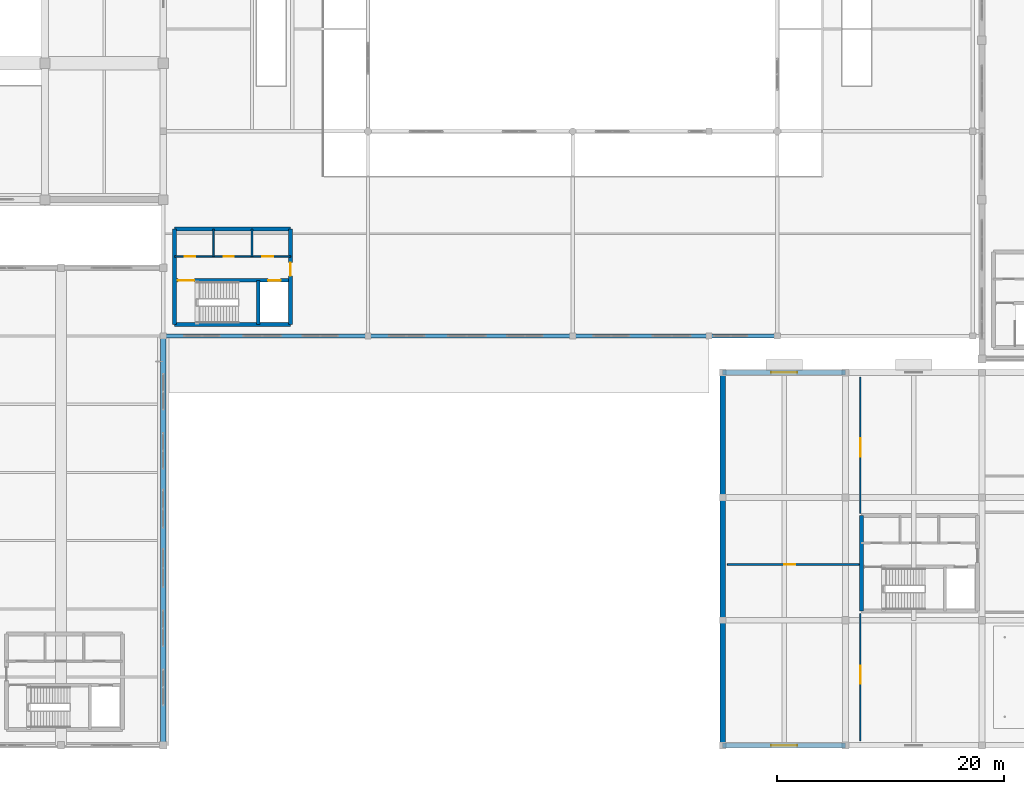
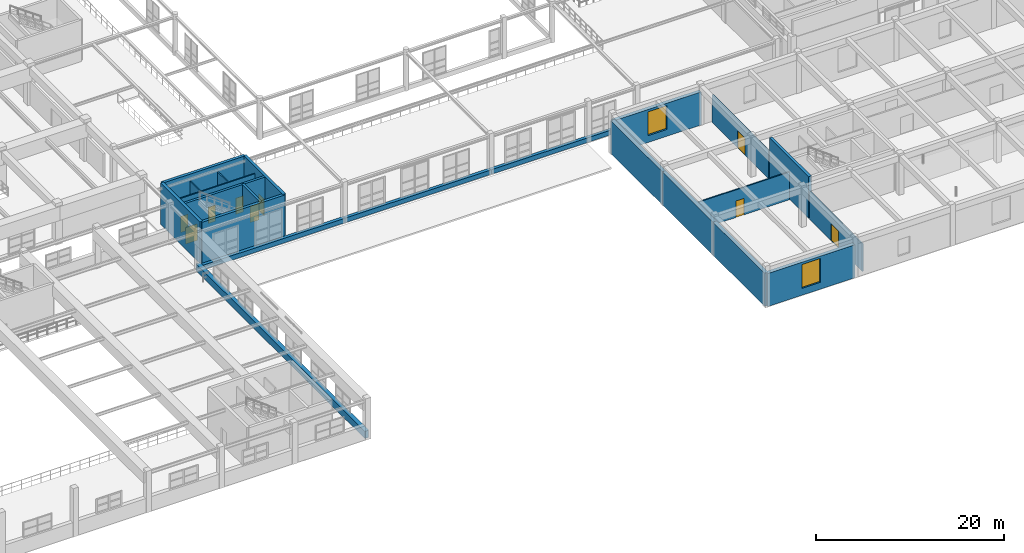
# One storey, part 171 of 197: 22 walls, 9 doors, 2 windows, 11 openings.
"""IFC4 building model written with IfcOpenShell, lengths in metres."""

from ifc_helpers import new_model, si_unit, derived_unit, direction, frame, frame_2d, origin, place, context, subcontext, project, spatial, rectangle, extrude, material, layer, layer_set, type_object, element, fill, save


model = new_model("IFC4")

# Units and contexts
model_context = context("Model", 3, precision=1e-05, world=origin(), true_north=direction((0.0, 1.0)))
body_context = subcontext(model_context, "Body", "Model", "MODEL_VIEW")
ifc_project = project(units=[si_unit("LENGTHUNIT", "METRE"), si_unit("AREAUNIT", "SQUARE_METRE"), si_unit("VOLUMEUNIT", "CUBIC_METRE"), si_unit("PLANEANGLEUNIT", "RADIAN"), si_unit("MASSUNIT", "GRAM", prefix="KILO"), derived_unit("THERMALTRANSMITTANCEUNIT", [(si_unit("POWERUNIT", "WATT"), 1), (si_unit("LENGTHUNIT", "METRE"), -2), (si_unit("THERMODYNAMICTEMPERATUREUNIT", "KELVIN"), -1)])], contexts=[model_context])

# Site, building, storey
site_placement = place(None, origin())
site = spatial("IfcSite", under=ifc_project, at=site_placement, CompositionType="ELEMENT")
building_placement = place(site_placement, origin())
building = spatial("IfcBuilding", under=site, at=building_placement, Name="Almenara Railside Exhibition Hall", CompositionType="ELEMENT")
storey_placement = place(building_placement, frame((0.0, 0.0, 5.39990234375)))
storey = spatial("IfcBuildingStorey", under=building, at=storey_placement, Name="L01", CompositionType="ELEMENT", Elevation=5.39990234375)

# Wall, opening, door
ifc_material_1 = material(Name="Double-stud acoustic gypsum partition")
ifc_layer_1 = layer(ifc_material_1, 0.159912109375, Name="Double-stud acoustic gypsum partition")
ifc_layer_set_1 = layer_set([ifc_layer_1], Name="Double-stud acoustic gypsum partition")
wall_type_1 = type_object("IfcWallType", Name="Acoustic Congress Partition 160mm", PredefinedType="PARTITIONING", material=ifc_layer_set_1)
wall_1_placement = place(storey_placement, frame((127.300048828125, 0.39990234375, 0.0), z_axis=(0.0, 0.0, 1.0), x_axis=(0.0, 1.0, 0.0)))
wall_1 = element("IfcWall", 1, at=wall_1_placement, inside=storey, type_object=wall_type_1, Name="Interior wall 0380", PredefinedType="PARTITIONING", context=body_context, shape_type="SweptSolid", body=[
    extrude(rectangle(XDim=11.2001953125, YDim=0.159912109375, at=frame_2d((5.60009765625, 0.0))), origin(), (0.0, 0.0, 1.0), 3.60009765625),
])
opening_1_placement = place(wall_1_placement, frame((5.0, 0.0, 0.0)))
opening_1 = element("IfcOpeningElement", 2, at=opening_1_placement, cuts=wall_1, Name="Opening ID-16", PredefinedType="OPENING", context=body_context, shape_type="SweptSolid", body=[
    extrude(rectangle(XDim=1.60009765625, YDim=2.199951171875, at=frame_2d((0.800048828125, 1.10009765625))), frame((0.0, 0.08984375, 0.0), z_axis=(0.0, -1.0, 0.0), x_axis=(1.0, 0.0, 0.0)), (0.0, 0.0, 1.0), 0.179931640625),
])
ifc_material_2 = material(Name="Iroko hardwood double door", Category="wood")
door_type_1 = type_object("IfcDoorType", Name="Meeting Suite Double Door 1600x2200", OperationType="NOTDEFINED", PredefinedType="DOOR", material=ifc_material_2)
door_1_placement = place(opening_1_placement, origin())
door_1 = element("IfcDoor", 3, at=door_1_placement, inside=storey, type_object=door_type_1, Name="Interior door ID-16-249", OperationType="DOUBLE_DOOR_SINGLE_SWING", OverallHeight=2.199951171875, OverallWidth=1.60009765625, PredefinedType="DOOR", context=body_context, shape_type="SweptSolid", body=[
    extrude(rectangle(XDim=1.60009765625, YDim=2.199951171875, at=frame_2d((0.800048828125, 1.10009765625))), frame((0.0, 0.02490234375, 0.0), z_axis=(0.0, -1.0, 0.0), x_axis=(1.0, 0.0, 0.0)), (0.0, 0.0, 1.0), 0.050048828125),
])
fill(opening_1, door_1)

wall_2_placement = place(storey_placement, frame((127.300048828125, 20.39990234375, 0.0), z_axis=(0.0, 0.0, 1.0), x_axis=(0.0, 1.0, 0.0)))
wall_2 = element("IfcWall", 4, at=wall_2_placement, inside=storey, type_object=wall_type_1, Name="Interior wall 0381", PredefinedType="PARTITIONING", context=body_context, shape_type="SweptSolid", body=[
    extrude(rectangle(XDim=12.0, YDim=0.159912109375, at=frame_2d((6.0, 0.0))), origin(), (0.0, 0.0, 1.0), 3.60009765625),
])
opening_2_placement = place(wall_2_placement, frame((5.0, 0.0, 0.0)))
opening_2 = element("IfcOpeningElement", 5, at=opening_2_placement, cuts=wall_2, Name="Opening ID-16", PredefinedType="OPENING", context=body_context, shape_type="SweptSolid", body=[
    extrude(rectangle(XDim=1.60009765625, YDim=2.199951171875, at=frame_2d((0.800048828125, 1.10009765625))), frame((0.0, 0.08984375, 0.0), z_axis=(0.0, -1.0, 0.0), x_axis=(1.0, 0.0, 0.0)), (0.0, 0.0, 1.0), 0.179931640625),
])
door_2_placement = place(opening_2_placement, origin())
door_2 = element("IfcDoor", 6, at=door_2_placement, inside=storey, type_object=door_type_1, Name="Interior door ID-16-250", OperationType="DOUBLE_DOOR_SINGLE_SWING", OverallHeight=2.199951171875, OverallWidth=1.60009765625, PredefinedType="DOOR", context=body_context, shape_type="SweptSolid", body=[
    extrude(rectangle(XDim=1.60009765625, YDim=2.199951171875, at=frame_2d((0.800048828125, 1.10009765625))), frame((0.0, 0.02490234375, 0.0), z_axis=(0.0, -1.0, 0.0), x_axis=(1.0, 0.0, 0.0)), (0.0, 0.0, 1.0), 0.050048828125),
])
fill(opening_2, door_2)

wall_3_placement = place(storey_placement, frame((115.60009765625, 15.89990234375, 0.0), z_axis=(0.0, 0.0, 1.0), x_axis=(1.0, 0.0, 0.0)))
wall_3 = element("IfcWall", 7, at=wall_3_placement, inside=storey, type_object=wall_type_1, Name="Interior wall 0382", PredefinedType="PARTITIONING", context=body_context, shape_type="SweptSolid", body=[
    extrude(rectangle(XDim=11.599853515625, YDim=0.159912109375, at=frame_2d((5.7998046875, 0.0))), origin(), (0.0, 0.0, 1.0), 3.60009765625),
])
opening_3_placement = place(wall_3_placement, frame((5.0, 0.0, 0.0)))
opening_3 = element("IfcOpeningElement", 8, at=opening_3_placement, cuts=wall_3, Name="Opening ID-10", PredefinedType="OPENING", context=body_context, shape_type="SweptSolid", body=[
    extrude(rectangle(XDim=1.0, YDim=2.14990234375, at=frame_2d((0.5, 1.074951171875))), frame((0.0, 0.08984375, 0.0), z_axis=(0.0, -1.0, 0.0), x_axis=(1.0, 0.0, 0.0)), (0.0, 0.0, 1.0), 0.179931640625),
])
ifc_material_3 = material(Name="Iroko hardwood single door", Category="wood")
door_type_2 = type_object("IfcDoorType", Name="Standard Room Single Door 1000x2150", OperationType="NOTDEFINED", PredefinedType="DOOR", material=ifc_material_3)
door_3_placement = place(opening_3_placement, origin())
door_3 = element("IfcDoor", 9, at=door_3_placement, inside=storey, type_object=door_type_2, Name="Interior door ID-10-251", OperationType="SINGLE_SWING_LEFT", OverallHeight=2.14990234375, OverallWidth=1.0, PredefinedType="DOOR", context=body_context, shape_type="SweptSolid", body=[
    extrude(rectangle(XDim=1.0, YDim=2.14990234375, at=frame_2d((0.5, 1.074951171875))), frame((0.0, 0.02490234375, 0.0), z_axis=(0.0, -1.0, 0.0), x_axis=(1.0, 0.0, 0.0)), (0.0, 0.0, 1.0), 0.050048828125),
])
fill(opening_3, door_3)

# Walls
ifc_material_4 = material(Name="Concrete C35/45", Category="concrete")
ifc_layer_2 = layer(ifc_material_4, 0.35009765625, Name="Concrete C35/45")
ifc_layer_set_2 = layer_set([ifc_layer_2], Name="Concrete C35/45")
wall_type_2 = type_object("IfcWallType", Name="Core Coupled Shear Wall 350mm C35/45", PredefinedType="SHEAR", material=ifc_layer_set_2)
for number, where, z_axis, x_axis, name in (
    (10, (67.0, 37.0, 0.0), (0.0, 0.0, 1.0), (1.0, 0.0, 0.0), "Interior wall 0082"),
    (11, (77.199951171875, 45.39990234375, 0.0), (0.0, 0.0, 1.0), (-1.0, 0.0, 0.0), "Interior wall 0083"),
):
    element("IfcWall", number, at=place(storey_placement, frame(where, z_axis=z_axis, x_axis=x_axis)), inside=storey, type_object=wall_type_2, Name=name, PredefinedType="SHEAR", context=body_context, shape_type="SweptSolid", body=[
        extrude(rectangle(XDim=10.199951171875, YDim=0.35009765625, at=frame_2d((5.10009765625, 0.0))), origin(), (0.0, 0.0, 1.0), 5.400146484375),
    ])
wall_4_placement = place(storey_placement, frame((67.0, 45.39990234375, 0.0), z_axis=(0.0, 0.0, 1.0), x_axis=(0.0, -1.0, 0.0)))
element("IfcWall", 12, at=wall_4_placement, inside=storey, type_object=wall_type_2, Name="Interior wall 0084", PredefinedType="SHEAR", context=body_context, shape_type="SweptSolid", body=[
    extrude(rectangle(XDim=8.39990234375, YDim=0.35009765625, at=frame_2d((4.199951171875, 0.0))), origin(), (0.0, 0.0, 1.0), 5.400146484375),
])

# Wall, opening, door
wall_5_placement = place(storey_placement, frame((77.199951171875, 37.0, 0.0), z_axis=(0.0, 0.0, 1.0), x_axis=(0.0, 1.0, 0.0)))
wall_5 = element("IfcWall", 13, at=wall_5_placement, inside=storey, type_object=wall_type_2, Name="Interior wall 0085", PredefinedType="SHEAR", context=body_context, shape_type="SweptSolid", body=[
    extrude(rectangle(XDim=8.39990234375, YDim=0.35009765625, at=frame_2d((4.199951171875, 0.0))), origin(), (0.0, 0.0, 1.0), 5.400146484375),
])
opening_4_placement = place(wall_5_placement, frame((4.300048828125, 0.0, 0.0)))
opening_4 = element("IfcOpeningElement", 14, at=opening_4_placement, cuts=wall_5, Name="Opening FD-115", PredefinedType="OPENING", context=body_context, shape_type="SweptSolid", body=[
    extrude(rectangle(XDim=1.14990234375, YDim=2.14990234375, at=frame_2d((0.574951171875, 1.074951171875))), frame((0.0, 0.18505859375, 0.0), z_axis=(0.0, -1.0, 0.0), x_axis=(1.0, 0.0, 0.0)), (0.0, 0.0, 1.0), 0.3701171875),
])
ifc_material_5 = material(Name="Fire-rated iroko timber door", Category="wood")
door_type_3 = type_object("IfcDoorType", Name="Core Lobby Fire Door 1150x2150 EI60", OperationType="NOTDEFINED", PredefinedType="DOOR", material=ifc_material_5)
door_4_placement = place(opening_4_placement, origin())
door_4 = element("IfcDoor", 15, at=door_4_placement, inside=storey, type_object=door_type_3, Name="Interior door FD-115-055", OperationType="SINGLE_SWING_LEFT", OverallHeight=2.14990234375, OverallWidth=1.14990234375, PredefinedType="DOOR", context=body_context, shape_type="SweptSolid", body=[
    extrude(rectangle(XDim=1.14990234375, YDim=2.14990234375, at=frame_2d((0.574951171875, 1.074951171875))), frame((0.0, 0.02490234375, 0.0), z_axis=(0.0, -1.0, 0.0), x_axis=(1.0, 0.0, 0.0)), (0.0, 0.0, 1.0), 0.050048828125),
])
fill(opening_4, door_4)

# Walls
wall_6_placement = place(storey_placement, frame((127.39990234375, 20.199951171875, 0.0), z_axis=(0.0, 0.0, 1.0), x_axis=(0.0, -1.0, 0.0)))
element("IfcWall", 16, at=wall_6_placement, inside=storey, type_object=wall_type_2, Name="Interior wall 0120", PredefinedType="SHEAR", context=body_context, shape_type="SweptSolid", body=[
    extrude(rectangle(XDim=8.39990234375, YDim=0.35009765625, at=frame_2d((4.199951171875, 0.0))), origin(), (0.0, 0.0, 1.0), 5.400146484375),
])
ifc_material_6 = material(Name="Ochre-white lime-rendered masonry over Concrete C35/45", Category="masonry")
ifc_layer_3 = layer(ifc_material_6, 0.385009765625, Name="Ochre-white lime-rendered masonry over Concrete C35/45")
ifc_layer_set_3 = layer_set([ifc_layer_3], Name="Ochre-white lime-rendered masonry over Concrete C35/45")
wall_type_3 = type_object("IfcWallType", Name="Exterior Arcade Spandrel Wall 385mm C35/45", PredefinedType="SOLIDWALL", material=ifc_layer_set_3)
for number, where, z_axis, x_axis, name in (
    (17, (66.0, 36.0, 0.0), (0.0, 0.0, 1.0), (1.0, 0.0, 0.0), "Exterior wall 0141"),
    (18, (84.0, 36.0, 0.0), (0.0, 0.0, 1.0), (1.0, 0.0, 0.0), "Exterior wall 0147"),
    (19, (102.0, 36.0, 0.0), (0.0, 0.0, 1.0), (1.0, 0.0, 0.0), "Exterior wall 0153"),
):
    element("IfcWall", number, at=place(storey_placement, frame(where, z_axis=z_axis, x_axis=x_axis)), inside=storey, type_object=wall_type_3, Name=name, PredefinedType="SOLIDWALL", context=body_context, shape_type="SweptSolid", body=[
        extrude(rectangle(XDim=18.0, YDim=0.385009765625, at=frame_2d((9.0, 0.0))), origin(), (0.0, 0.0, 1.0), 0.60009765625),
    ])

# Wall, opening, window
ifc_layer_4 = layer(ifc_material_6, 0.449951171875, Name="Ochre-white lime-rendered masonry over Concrete C35/45")
ifc_layer_set_4 = layer_set([ifc_layer_4], Name="Ochre-white lime-rendered masonry over Concrete C35/45")
wall_type_4 = type_object("IfcWallType", Name="Exterior Civic Stucco Wall 450mm C35/45", PredefinedType="SOLIDWALL", material=ifc_layer_set_4)
wall_7_placement = place(storey_placement, frame((115.199951171875, 0.0, 0.0), z_axis=(0.0, 0.0, 1.0), x_axis=(1.0, 0.0, 0.0)))
wall_7 = element("IfcWall", 20, at=wall_7_placement, inside=storey, type_object=wall_type_4, Name="Exterior wall 0208", PredefinedType="SOLIDWALL", context=body_context, shape_type="SweptSolid", body=[
    extrude(rectangle(XDim=10.800048828125, YDim=0.449951171875, at=frame_2d((5.39990234375, 0.0))), origin(), (0.0, 0.0, 1.0), 4.300048828125),
])
opening_5_placement = place(wall_7_placement, frame((4.25, 0.0, 0.89990234375)))
opening_5 = element("IfcOpeningElement", 21, at=opening_5_placement, cuts=wall_7, Name="Opening W-02", PredefinedType="OPENING", context=body_context, shape_type="SweptSolid", body=[
    extrude(rectangle(XDim=2.300048828125, YDim=3.10009765625, at=frame_2d((1.14990234375, 1.550048828125))), frame((0.0, 0.23486328125, 0.0), z_axis=(0.0, -1.0, 0.0), x_axis=(1.0, 0.0, 0.0)), (0.0, 0.0, 1.0), 0.469970703125),
])
ifc_material_7 = material(Name="Bronze-anodised aluminium and low-E double glazing", Category="aluminium")
window_type = type_object("IfcWindowType", Name="Arched Congress Tall Window 2300x3100", PartitioningType="DOUBLE_PANEL_VERTICAL", PredefinedType="WINDOW", material=ifc_material_7)
window_1_placement = place(opening_5_placement, origin())
window_1 = element("IfcWindow", 22, at=window_1_placement, inside=storey, type_object=window_type, Name="Window 0063", OverallHeight=3.10009765625, OverallWidth=2.300048828125, PartitioningType="DOUBLE_PANEL_VERTICAL", PredefinedType="WINDOW", context=body_context, shape_type="SweptSolid", body=[
    extrude(rectangle(XDim=2.300048828125, YDim=3.10009765625, at=frame_2d((1.14990234375, 1.550048828125))), frame((0.0, 0.030029296875, 0.0), z_axis=(0.0, -1.0, 0.0), x_axis=(1.0, 0.0, 0.0)), (0.0, 0.0, 1.0), 0.06005859375),
])
fill(opening_5, window_1)

wall_8_placement = place(storey_placement, frame((126.0, 32.800048828125, 0.0), z_axis=(0.0, 0.0, 1.0), x_axis=(-1.0, 0.0, 0.0)))
wall_8 = element("IfcWall", 23, at=wall_8_placement, inside=storey, type_object=wall_type_4, Name="Exterior wall 0209", PredefinedType="SOLIDWALL", context=body_context, shape_type="SweptSolid", body=[
    extrude(rectangle(XDim=10.800048828125, YDim=0.449951171875, at=frame_2d((5.39990234375, 0.0))), origin(), (0.0, 0.0, 1.0), 4.300048828125),
])
opening_6_placement = place(wall_8_placement, frame((4.25, 0.0, 0.89990234375)))
opening_6 = element("IfcOpeningElement", 24, at=opening_6_placement, cuts=wall_8, Name="Opening W-02", PredefinedType="OPENING", context=body_context, shape_type="SweptSolid", body=[
    extrude(rectangle(XDim=2.300048828125, YDim=3.10009765625, at=frame_2d((1.14990234375, 1.550048828125))), frame((0.0, 0.23486328125, 0.0), z_axis=(0.0, -1.0, 0.0), x_axis=(1.0, 0.0, 0.0)), (0.0, 0.0, 1.0), 0.469970703125),
])
window_2_placement = place(opening_6_placement, origin())
window_2 = element("IfcWindow", 25, at=window_2_placement, inside=storey, type_object=window_type, Name="Window 0064", OverallHeight=3.10009765625, OverallWidth=2.300048828125, PartitioningType="DOUBLE_PANEL_VERTICAL", PredefinedType="WINDOW", context=body_context, shape_type="SweptSolid", body=[
    extrude(rectangle(XDim=2.300048828125, YDim=3.10009765625, at=frame_2d((1.14990234375, 1.550048828125))), frame((0.0, 0.030029296875, 0.0), z_axis=(0.0, -1.0, 0.0), x_axis=(1.0, 0.0, 0.0)), (0.0, 0.0, 1.0), 0.06005859375),
])
fill(opening_6, window_2)

# Walls
wall_9_placement = place(storey_placement, frame((115.199951171875, 11.0, 0.0), z_axis=(0.0, 0.0, 1.0), x_axis=(0.0, -1.0, 0.0)))
element("IfcWall", 26, at=wall_9_placement, inside=storey, type_object=wall_type_4, Name="Exterior wall 0225", PredefinedType="SOLIDWALL", context=body_context, shape_type="SweptSolid", body=[
    extrude(rectangle(XDim=11.0, YDim=0.449951171875, at=frame_2d((5.5, 0.0))), origin(), (0.0, 0.0, 1.0), 4.300048828125),
])
wall_10_placement = place(storey_placement, frame((115.199951171875, 21.800048828125, 0.0), z_axis=(0.0, 0.0, 1.0), x_axis=(0.0, -1.0, 0.0)))
element("IfcWall", 27, at=wall_10_placement, inside=storey, type_object=wall_type_4, Name="Exterior wall 0227", PredefinedType="SOLIDWALL", context=body_context, shape_type="SweptSolid", body=[
    extrude(rectangle(XDim=10.800048828125, YDim=0.449951171875, at=frame_2d((5.39990234375, 0.0))), origin(), (0.0, 0.0, 1.0), 4.300048828125),
])
wall_11_placement = place(storey_placement, frame((115.199951171875, 32.800048828125, 0.0), z_axis=(0.0, 0.0, 1.0), x_axis=(0.0, -1.0, 0.0)))
element("IfcWall", 28, at=wall_11_placement, inside=storey, type_object=wall_type_4, Name="Exterior wall 0229", PredefinedType="SOLIDWALL", context=body_context, shape_type="SweptSolid", body=[
    extrude(rectangle(XDim=11.0, YDim=0.449951171875, at=frame_2d((5.5, 0.0))), origin(), (0.0, 0.0, 1.0), 4.300048828125),
])
ifc_layer_5 = layer(ifc_material_6, 0.47998046875, Name="Ochre-white lime-rendered masonry over Concrete C35/45")
ifc_layer_set_5 = layer_set([ifc_layer_5], Name="Ochre-white lime-rendered masonry over Concrete C35/45")
wall_type_5 = type_object("IfcWallType", Name="Exterior Plenary Thermal Wall 480mm C35/45", PredefinedType="SOLIDWALL", material=ifc_layer_set_5)
wall_12_placement = place(storey_placement, frame((66.0, 0.0, 0.0), z_axis=(0.0, 0.0, 1.0), x_axis=(0.0, 1.0, 0.0)))
element("IfcWall", 29, at=wall_12_placement, inside=storey, type_object=wall_type_5, Name="Exterior wall 0139", PredefinedType="SOLIDWALL", context=body_context, shape_type="SweptSolid", body=[
    extrude(rectangle(XDim=36.0, YDim=0.47998046875, at=frame_2d((18.0, 0.0))), origin(), (0.0, 0.0, 1.0), 0.9501953125),
])

# Wall, openings, doors
ifc_material_8 = material(Name="Moisture-resistant tiled masonry partition", Category="masonry")
ifc_layer_6 = layer(ifc_material_8, 0.139892578125, Name="Moisture-resistant tiled masonry partition")
ifc_layer_set_6 = layer_set([ifc_layer_6], Name="Moisture-resistant tiled masonry partition")
wall_type_6 = type_object("IfcWallType", Name="Sanitary Wet-Wall Partition 140mm", PredefinedType="PARTITIONING", material=ifc_layer_set_6)
wall_13_placement = place(storey_placement, frame((67.0, 43.0, 0.0), z_axis=(0.0, 0.0, 1.0), x_axis=(1.0, 0.0, 0.0)))
wall_13 = element("IfcWall", 30, at=wall_13_placement, inside=storey, type_object=wall_type_6, Name="Interior wall 0088", PredefinedType="PARTITIONING", context=body_context, shape_type="SweptSolid", body=[
    extrude(rectangle(XDim=10.199951171875, YDim=0.139892578125, at=frame_2d((5.10009765625, 0.0))), origin(), (0.0, 0.0, 1.0), 4.5),
])
opening_7_placement = place(wall_13_placement, frame((0.89990234375, 0.0, 0.0)))
opening_7 = element("IfcOpeningElement", 31, at=opening_7_placement, cuts=wall_13, Name="Opening ID-09", PredefinedType="OPENING", context=body_context, shape_type="SweptSolid", body=[
    extrude(rectangle(XDim=0.89990234375, YDim=2.10009765625, at=frame_2d((0.449951171875, 1.050048828125))), frame((0.0, 0.079833984375, 0.0), z_axis=(0.0, -1.0, 0.0), x_axis=(1.0, 0.0, 0.0)), (0.0, 0.0, 1.0), 0.159912109375),
])
opening_8_placement = place(wall_13_placement, frame((4.300048828125, 0.0, 0.0)))
opening_8 = element("IfcOpeningElement", 32, at=opening_8_placement, cuts=wall_13, Name="Opening ID-09", PredefinedType="OPENING", context=body_context, shape_type="SweptSolid", body=[
    extrude(rectangle(XDim=0.89990234375, YDim=2.10009765625, at=frame_2d((0.449951171875, 1.050048828125))), frame((0.0, 0.079833984375, 0.0), z_axis=(0.0, -1.0, 0.0), x_axis=(1.0, 0.0, 0.0)), (0.0, 0.0, 1.0), 0.159912109375),
])
opening_9_placement = place(wall_13_placement, frame((7.699951171875, 0.0, 0.0)))
opening_9 = element("IfcOpeningElement", 33, at=opening_9_placement, cuts=wall_13, Name="Opening ID-095", PredefinedType="OPENING", context=body_context, shape_type="SweptSolid", body=[
    extrude(rectangle(XDim=0.949951171875, YDim=2.10009765625, at=frame_2d((0.47509765625, 1.050048828125))), frame((0.0, 0.079833984375, 0.0), z_axis=(0.0, -1.0, 0.0), x_axis=(1.0, 0.0, 0.0)), (0.0, 0.0, 1.0), 0.159912109375),
])
ifc_material_9 = material(Name="Moisture-resistant hardwood door", Category="wood")
door_type_4 = type_object("IfcDoorType", Name="Accessible Toilet Door 950x2100", OperationType="NOTDEFINED", PredefinedType="DOOR", material=ifc_material_9)
door_5_placement = place(opening_9_placement, origin())
door_5 = element("IfcDoor", 34, at=door_5_placement, inside=storey, type_object=door_type_4, Name="Interior door ID-095-060", OperationType="SINGLE_SWING_RIGHT", OverallHeight=2.10009765625, OverallWidth=0.949951171875, PredefinedType="DOOR", context=body_context, shape_type="SweptSolid", body=[
    extrude(rectangle(XDim=0.949951171875, YDim=2.10009765625, at=frame_2d((0.47509765625, 1.050048828125))), frame((0.0, 0.02490234375, 0.0), z_axis=(0.0, -1.0, 0.0), x_axis=(1.0, 0.0, 0.0)), (0.0, 0.0, 1.0), 0.050048828125),
])
fill(opening_9, door_5)
door_type_5 = type_object("IfcDoorType", Name="Sanitary Lobby Single Door 900x2100", OperationType="NOTDEFINED", PredefinedType="DOOR", material=ifc_material_9)
door_6_placement = place(opening_7_placement, origin())
door_6 = element("IfcDoor", 35, at=door_6_placement, inside=storey, type_object=door_type_5, Name="Interior door ID-09-058", OperationType="SINGLE_SWING_RIGHT", OverallHeight=2.10009765625, OverallWidth=0.89990234375, PredefinedType="DOOR", context=body_context, shape_type="SweptSolid", body=[
    extrude(rectangle(XDim=0.89990234375, YDim=2.10009765625, at=frame_2d((0.449951171875, 1.050048828125))), frame((0.0, 0.02490234375, 0.0), z_axis=(0.0, -1.0, 0.0), x_axis=(1.0, 0.0, 0.0)), (0.0, 0.0, 1.0), 0.050048828125),
])
fill(opening_7, door_6)
door_7_placement = place(opening_8_placement, origin())
door_7 = element("IfcDoor", 36, at=door_7_placement, inside=storey, type_object=door_type_5, Name="Interior door ID-09-059", OperationType="SINGLE_SWING_LEFT", OverallHeight=2.10009765625, OverallWidth=0.89990234375, PredefinedType="DOOR", context=body_context, shape_type="SweptSolid", body=[
    extrude(rectangle(XDim=0.89990234375, YDim=2.10009765625, at=frame_2d((0.449951171875, 1.050048828125))), frame((0.0, 0.02490234375, 0.0), z_axis=(0.0, -1.0, 0.0), x_axis=(1.0, 0.0, 0.0)), (0.0, 0.0, 1.0), 0.050048828125),
])
fill(opening_8, door_7)

# Walls
for number, where, z_axis, x_axis, name in (
    (37, (70.39990234375, 43.0, 0.0), (0.0, 0.0, 1.0), (0.0, 1.0, 0.0), "Interior wall 0089"),
    (38, (73.800048828125, 43.0, 0.0), (0.0, 0.0, 1.0), (0.0, 1.0, 0.0), "Interior wall 0090"),
):
    element("IfcWall", number, at=place(storey_placement, frame(where, z_axis=z_axis, x_axis=x_axis)), inside=storey, type_object=wall_type_6, Name=name, PredefinedType="PARTITIONING", context=body_context, shape_type="SweptSolid", body=[
        extrude(rectangle(XDim=2.39990234375, YDim=0.139892578125, at=frame_2d((1.199951171875, 0.0))), origin(), (0.0, 0.0, 1.0), 4.5),
    ])

# Wall, openings, doors
ifc_layer_7 = layer(ifc_material_4, 0.300048828125, Name="Concrete C35/45")
ifc_layer_set_7 = layer_set([ifc_layer_7], Name="Concrete C35/45")
wall_type_7 = type_object("IfcWallType", Name="Stair and Lift Shaft Wall 300mm C35/45", PredefinedType="SHEAR", material=ifc_layer_set_7)
wall_14_placement = place(storey_placement, frame((67.0, 40.89990234375, 0.0), z_axis=(0.0, 0.0, 1.0), x_axis=(1.0, 0.0, 0.0)))
wall_14 = element("IfcWall", 39, at=wall_14_placement, inside=storey, type_object=wall_type_7, Name="Interior wall 0086", PredefinedType="SHEAR", context=body_context, shape_type="SweptSolid", body=[
    extrude(rectangle(XDim=10.199951171875, YDim=0.300048828125, at=frame_2d((5.10009765625, 0.0))), origin(), (0.0, 0.0, 1.0), 5.400146484375),
])
opening_10_placement = place(wall_14_placement, frame((0.280029296875, 0.0, 0.0)))
opening_10 = element("IfcOpeningElement", 40, at=opening_10_placement, cuts=wall_14, Name="Opening FD-145", PredefinedType="OPENING", context=body_context, shape_type="SweptSolid", body=[
    extrude(rectangle(XDim=1.449951171875, YDim=2.14990234375, at=frame_2d((0.72509765625, 1.074951171875))), frame((0.0, 0.159912109375, 0.0), z_axis=(0.0, -1.0, 0.0), x_axis=(1.0, 0.0, 0.0)), (0.0, 0.0, 1.0), 0.320068359375),
])
opening_11_placement = place(wall_14_placement, frame((8.22509765625, 0.0, 0.0)))
opening_11 = element("IfcOpeningElement", 41, at=opening_11_placement, cuts=wall_14, Name="Opening LD-11-C4", PredefinedType="OPENING", context=body_context, shape_type="SweptSolid", body=[
    extrude(rectangle(XDim=1.10009765625, YDim=2.14990234375, at=frame_2d((0.550048828125, 1.074951171875))), frame((0.0, 0.159912109375, 0.0), z_axis=(0.0, -1.0, 0.0), x_axis=(1.0, 0.0, 0.0)), (0.0, 0.0, 1.0), 0.320068359375),
])
ifc_material_10 = material(Name="Steel-framed fire-rated timber door", Category="steel")
door_type_6 = type_object("IfcDoorType", Name="Fire Escape Stair Door 1450x2150 EI60", OperationType="NOTDEFINED", PredefinedType="DOOR", material=ifc_material_10)
door_8_placement = place(opening_10_placement, origin())
door_8 = element("IfcDoor", 42, at=door_8_placement, inside=storey, type_object=door_type_6, Name="Interior door FD-145-056", OperationType="DOUBLE_DOOR_SINGLE_SWING", OverallHeight=2.14990234375, OverallWidth=1.449951171875, PredefinedType="DOOR", context=body_context, shape_type="SweptSolid", body=[
    extrude(rectangle(XDim=1.449951171875, YDim=2.14990234375, at=frame_2d((0.72509765625, 1.074951171875))), frame((0.0, 0.02490234375, 0.0), z_axis=(0.0, -1.0, 0.0), x_axis=(1.0, 0.0, 0.0)), (0.0, 0.0, 1.0), 0.050048828125),
])
fill(opening_10, door_8)
ifc_material_11 = material(Name="Brushed bronze-stainless steel sliding landing door", Category="steel")
door_type_7 = type_object("IfcDoorType", Name="Passenger Lift Sliding Landing Door 1100x2150", OperationType="DOUBLE_DOOR_SLIDING", PredefinedType="DOOR", material=ifc_material_11)
door_9_placement = place(opening_11_placement, origin())
door_9 = element("IfcDoor", 43, at=door_9_placement, inside=storey, type_object=door_type_7, Name="Interior door LD-11-C4-057", OperationType="DOUBLE_DOOR_SLIDING", OverallHeight=2.14990234375, OverallWidth=1.10009765625, PredefinedType="DOOR", context=body_context, shape_type="SweptSolid", body=[
    extrude(rectangle(XDim=1.10009765625, YDim=2.14990234375, at=frame_2d((0.550048828125, 1.074951171875))), frame((0.0, 0.02490234375, 0.0), z_axis=(0.0, -1.0, 0.0), x_axis=(1.0, 0.0, 0.0)), (0.0, 0.0, 1.0), 0.050048828125),
])
fill(opening_11, door_9)

# Wall
wall_15_placement = place(storey_placement, frame((74.35009765625, 37.0, 0.0), z_axis=(0.0, 0.0, 1.0), x_axis=(0.0, 1.0, 0.0)))
element("IfcWall", 44, at=wall_15_placement, inside=storey, type_object=wall_type_7, Name="Interior wall 0087", PredefinedType="SHEAR", context=body_context, shape_type="SweptSolid", body=[
    extrude(rectangle(XDim=3.89990234375, YDim=0.300048828125, at=frame_2d((1.949951171875, 0.0))), origin(), (0.0, 0.0, 1.0), 5.400146484375),
])

save(model, "model.ifc")
